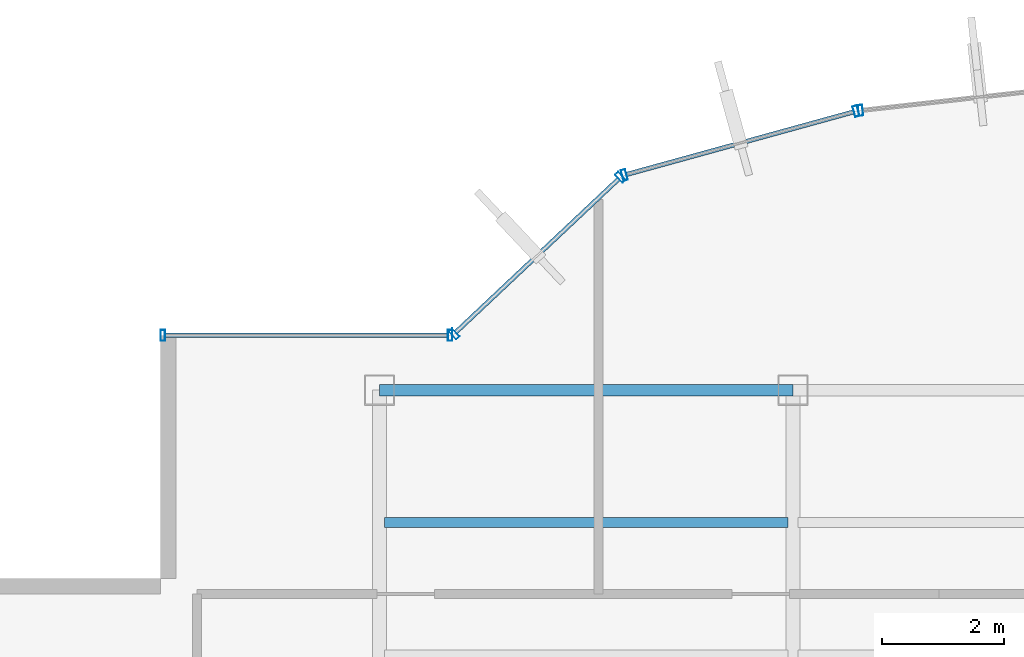
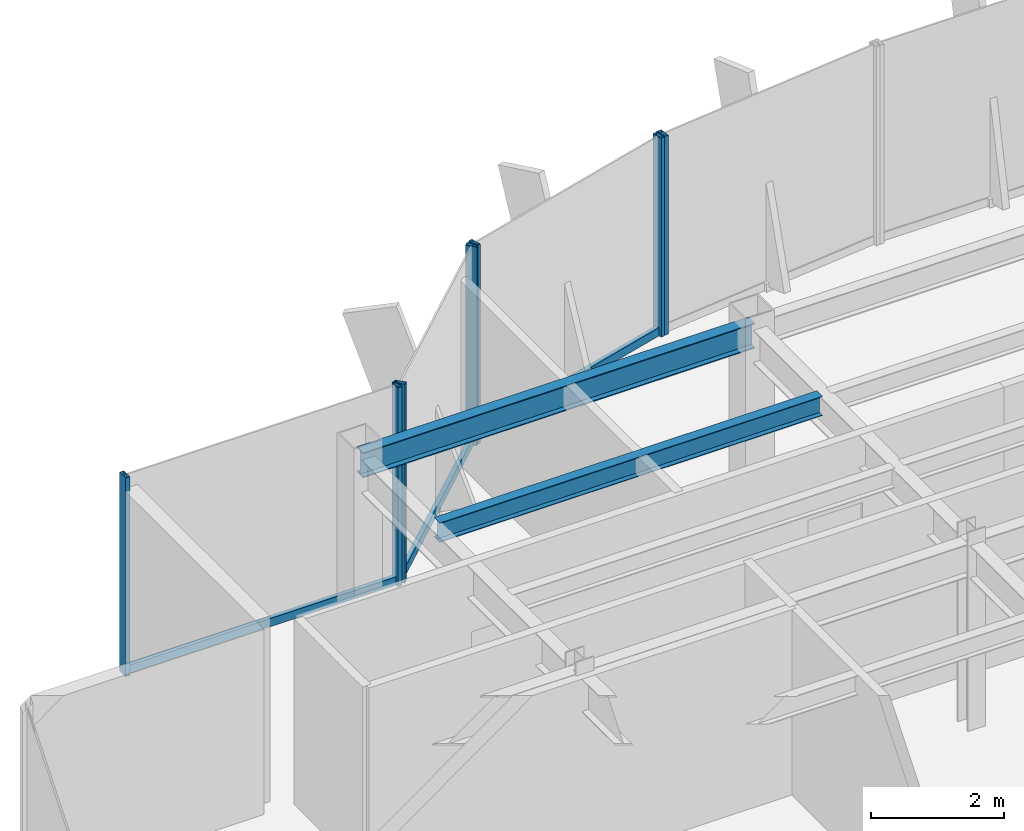
# One storey, part 12 of 22: 10 members, 2 beams, 4 elements without a shape of their own.
"""IFC4 building model written with IfcOpenShell, lengths in metres."""

from ifc_helpers import new_model, si_unit, derived_unit, direction, frame, origin, origin_2d, place, context, subcontext, project, spatial, hollow_rectangle, i_section, extrude, source, transform, mapped, material, material_profile, profile_set, type_object, element, aggregate, save


model = new_model("IFC4")

# Units and contexts
model_context = context("Model", 3, precision=1e-05, world=origin(), true_north=direction((0.0, 1.0)))
body_context = subcontext(model_context, "Body", "Model", "MODEL_VIEW")
ifc_project = project(units=[si_unit("LENGTHUNIT", "METRE"), si_unit("AREAUNIT", "SQUARE_METRE"), si_unit("VOLUMEUNIT", "CUBIC_METRE"), si_unit("PLANEANGLEUNIT", "RADIAN"), si_unit("MASSUNIT", "GRAM", prefix="KILO"), derived_unit("THERMALTRANSMITTANCEUNIT", [(si_unit("POWERUNIT", "WATT"), 1), (si_unit("LENGTHUNIT", "METRE"), -2), (si_unit("THERMODYNAMICTEMPERATUREUNIT", "KELVIN"), -1)])], contexts=[model_context])

# Site, building, storey
site_placement = place(None, origin())
site = spatial("IfcSite", under=ifc_project, at=site_placement, CompositionType="ELEMENT")
building_placement = place(site_placement, origin())
building = spatial("IfcBuilding", under=site, at=building_placement, Name="Skarnbrae Concourse Arena and Tower", CompositionType="ELEMENT")
storey_placement = place(building_placement, frame((0.0, 0.0, 192.25)))
storey = spatial("IfcBuildingStorey", under=building, at=storey_placement, Name="L49", CompositionType="ELEMENT", Elevation=192.25)

# Beams
ifc_material_1 = material(Name="Steel CSA G40.21 350W", Category="steel")
ifc_material_profile_1 = material_profile(ifc_material_1, i_section(OverallWidth=0.19091796875, OverallDepth=0.4599609375, WebThickness=0.010009765625, FlangeThickness=0.01611328125, at=origin_2d()), Name="W460X82")
ifc_profile_set_1 = profile_set([ifc_material_profile_1], Name="Steel CSA G40.21 350W")
beam_type_1 = type_object("IfcBeamType", Name="BM-SPAN-W460X82", PredefinedType="SPANDREL", material=ifc_profile_set_1)
shared_shape_1 = source(origin(), body_context, "Body", "SweptSolid", [
    extrude(i_section(OverallWidth=0.19091796875, OverallDepth=0.4599609375, WebThickness=0.010009765625, FlangeThickness=0.01611328125, at=origin_2d()), origin(), (0.0, 0.0, 1.0), 6.7998046875),
])
beam_1_placement = place(storey_placement, frame((7.60009765625, 34.39990234375, 3.169921875), z_axis=(1.0, 0.0, 0.0), x_axis=(0.0, 1.0, 0.0)))
element("IfcBeam", 1, at=beam_1_placement, inside=storey, type_object=beam_type_1, Name="L49 Perimeter spandrel Y34.4-1", PredefinedType="SPANDREL", context=body_context, shape_type="MappedRepresentation", body=[
    mapped(shared_shape_1, transform((0.0, 0.0, 0.0))),
])
ifc_material_profile_2 = material_profile(ifc_material_1, i_section(OverallWidth=0.1708984375, OverallDepth=0.35498046875, WebThickness=0.007080078125, FlangeThickness=0.01171875, at=origin_2d()), Name="W360X51")
ifc_profile_set_2 = profile_set([ifc_material_profile_2], Name="Steel CSA G40.21 350W")
beam_type_2 = type_object("IfcBeamType", Name="BM-JOIST-W360X51", PredefinedType="JOIST", material=ifc_profile_set_2)
shared_shape_2 = source(origin(), body_context, "Body", "SweptSolid", [
    extrude(i_section(OverallWidth=0.1708984375, OverallDepth=0.35498046875, WebThickness=0.007080078125, FlangeThickness=0.01171875, at=origin_2d()), origin(), (0.0, 0.0, 1.0), 6.64013671875),
])
beam_2_placement = place(storey_placement, frame((7.679931640625, 32.221923828125, 3.222412109375), z_axis=(1.0, 0.0, 0.0), x_axis=(0.0, 1.0, 0.0)))
element("IfcBeam", 2, at=beam_2_placement, inside=storey, type_object=beam_type_2, Name="L49 Secondary floor joist 3.2.1", PredefinedType="JOIST", context=body_context, shape_type="MappedRepresentation", body=[
    mapped(shared_shape_2, transform((0.0, 0.0, 0.0))),
])

# Curtain wall, member
ifc_material_2 = material(Name="Bronze anodised aluminium 6063-T6", Category="aluminium")
curtain_wall_type = type_object("IfcCurtainWallType", Name="CW-SYS-05-HIGHZONE", PredefinedType="USERDEFINED", material=ifc_material_2)
curtain_wall_1_placement = place(storey_placement, origin())
curtain_wall_1 = element("IfcCurtainWall", 3, at=curtain_wall_1_placement, inside=storey, type_object=curtain_wall_type, Name="L49 Unitised curtain wall CW-L49-E12", ObjectType="UNITISED CURTAIN WALL", PredefinedType="USERDEFINED")
ifc_material_profile_3 = material_profile(ifc_material_2, hollow_rectangle(XDim=0.074951171875, YDim=0.179931640625, WallThickness=0.00390625, at=origin_2d()), Name="ALU-MULL-75X180")
ifc_profile_set_3 = profile_set([ifc_material_profile_3], Name="Bronze anodised aluminium 6063-T6")
member_type_1 = type_object("IfcMemberType", Name="CWM-CW-05", PredefinedType="MULLION", material=ifc_profile_set_3)
shared_shape_3 = source(origin(), body_context, "Body", "SweptSolid", [
    extrude(hollow_rectangle(XDim=0.074951171875, YDim=0.179931640625, WallThickness=0.00390625, at=origin_2d()), origin(), (0.0, 0.0, 1.0), 3.64990234375),
])
member_1_placement = place(storey_placement, frame((15.511474609375, 39.001220703125, 0.0), z_axis=(0.0, 0.0, 1.0), x_axis=(-0.993768891873, -0.111460259941, 0.0)))
member_1 = element("IfcMember", 4, at=member_1_placement, type_object=member_type_1, Name="CW-L49-E12 Mullion 2", PredefinedType="MULLION", context=body_context, shape_type="MappedRepresentation", body=[
    mapped(shared_shape_3, transform((0.0, 0.0, 0.0))),
])
aggregate(curtain_wall_1, [member_1])

# Curtain wall, members
curtain_wall_2_placement = place(storey_placement, origin())
curtain_wall_2 = element("IfcCurtainWall", 5, at=curtain_wall_2_placement, inside=storey, type_object=curtain_wall_type, Name="L49 Unitised curtain wall CW-L49-E13", ObjectType="UNITISED CURTAIN WALL", PredefinedType="USERDEFINED")
member_2_placement = place(storey_placement, frame((15.43798828125, 38.987060546875, 0.0), z_axis=(0.0, 0.0, 1.0), x_axis=(-0.964057388766, -0.265694093207, 0.0)))
member_2 = element("IfcMember", 6, at=member_2_placement, type_object=member_type_1, Name="CW-L49-E13 Mullion 1", PredefinedType="MULLION", context=body_context, shape_type="MappedRepresentation", body=[
    mapped(shared_shape_3, transform((0.0, 0.0, 0.0))),
])
member_3_placement = place(storey_placement, frame((11.62646484375, 37.936767578125, 0.0), z_axis=(0.0, 0.0, 1.0), x_axis=(-0.964057388766, -0.265694093207, 0.0)))
member_3 = element("IfcMember", 7, at=member_3_placement, type_object=member_type_1, Name="CW-L49-E13 Mullion 2", PredefinedType="MULLION", context=body_context, shape_type="MappedRepresentation", body=[
    mapped(shared_shape_3, transform((0.0, 0.0, 0.0))),
])

curtain_wall_3_placement = place(storey_placement, origin())
curtain_wall_3 = element("IfcCurtainWall", 8, at=curtain_wall_3_placement, inside=storey, type_object=curtain_wall_type, Name="L49 Unitised curtain wall CW-L49-E14", ObjectType="UNITISED CURTAIN WALL", PredefinedType="USERDEFINED")
member_4_placement = place(storey_placement, frame((11.56298828125, 37.90087890625, 0.0), z_axis=(0.0, 0.0, 1.0), x_axis=(-0.728130555214, -0.685438468838, 0.0)))
member_4 = element("IfcMember", 9, at=member_4_placement, type_object=member_type_1, Name="CW-L49-E14 Mullion 1", PredefinedType="MULLION", context=body_context, shape_type="MappedRepresentation", body=[
    mapped(shared_shape_3, transform((0.0, 0.0, 0.0))),
])
member_5_placement = place(storey_placement, frame((8.827392578125, 35.32568359375, 0.0), z_axis=(0.0, 0.0, 1.0), x_axis=(-0.728130555214, -0.685438468838, 0.0)))
member_5 = element("IfcMember", 10, at=member_5_placement, type_object=member_type_1, Name="CW-L49-E14 Mullion 2", PredefinedType="MULLION", context=body_context, shape_type="MappedRepresentation", body=[
    mapped(shared_shape_3, transform((0.0, 0.0, 0.0))),
])

curtain_wall_4_placement = place(storey_placement, origin())
curtain_wall_4 = element("IfcCurtainWall", 11, at=curtain_wall_4_placement, inside=storey, type_object=curtain_wall_type, Name="L49 Unitised curtain wall CW-L49-E15", ObjectType="UNITISED CURTAIN WALL", PredefinedType="USERDEFINED")
member_6_placement = place(storey_placement, frame((8.762451171875, 35.300048828125, 0.0), z_axis=(0.0, 0.0, 1.0), x_axis=(-1.0, 0.0, 0.0)))
member_6 = element("IfcMember", 12, at=member_6_placement, type_object=member_type_1, Name="CW-L49-E15 Mullion 1", PredefinedType="MULLION", context=body_context, shape_type="MappedRepresentation", body=[
    mapped(shared_shape_3, transform((0.0, 0.0, 0.0))),
])
member_7_placement = place(storey_placement, frame((4.03759765625, 35.300048828125, 0.0), z_axis=(0.0, 0.0, 1.0), x_axis=(-1.0, 0.0, 0.0)))
member_7 = element("IfcMember", 13, at=member_7_placement, type_object=member_type_1, Name="CW-L49-E15 Mullion 2", PredefinedType="MULLION", context=body_context, shape_type="MappedRepresentation", body=[
    mapped(shared_shape_3, transform((0.0, 0.0, 0.0))),
])
ifc_material_profile_4 = material_profile(ifc_material_2, hollow_rectangle(XDim=0.074951171875, YDim=0.14990234375, WallThickness=0.00390625, at=origin_2d()), Name="ALU-TRAN-75X150")
ifc_profile_set_4 = profile_set([ifc_material_profile_4], Name="Bronze anodised aluminium 6063-T6")
member_type_2 = type_object("IfcMemberType", Name="CWT-CW-05", PredefinedType="USERDEFINED", material=ifc_profile_set_4)
shared_shape_4 = source(origin(), body_context, "Body", "SweptSolid", [
    extrude(hollow_rectangle(XDim=0.074951171875, YDim=0.14990234375, WallThickness=0.00390625, at=origin_2d()), origin(), (0.0, 0.0, 1.0), 4.650146484375),
])
member_8_placement = place(storey_placement, frame((8.72509765625, 35.300048828125, 0.074951171875), z_axis=(-1.0, 0.0, 0.0), x_axis=(0.0, -1.0, 0.0)))
member_8 = element("IfcMember", 14, at=member_8_placement, type_object=member_type_2, Name="CW-L49-E15 Transom 1", ObjectType="TRANSOM", PredefinedType="USERDEFINED", context=body_context, shape_type="MappedRepresentation", body=[
    mapped(shared_shape_4, transform((0.0, 0.0, 0.0))),
])
aggregate(curtain_wall_4, [member_6, member_7, member_8])

# Member
shared_shape_5 = source(origin(), body_context, "Body", "SweptSolid", [
    extrude(hollow_rectangle(XDim=0.074951171875, YDim=0.14990234375, WallThickness=0.00390625, at=origin_2d()), origin(), (0.0, 0.0, 1.0), 3.68212890625),
])
member_9_placement = place(storey_placement, frame((11.53564453125, 37.875244140625, 0.074951171875), z_axis=(-0.728133808476, -0.685435012933, 0.0), x_axis=(0.685435012933, -0.728133808476, 0.0)))
member_9 = element("IfcMember", 15, at=member_9_placement, type_object=member_type_2, Name="CW-L49-E14 Transom 1", ObjectType="TRANSOM", PredefinedType="USERDEFINED", context=body_context, shape_type="MappedRepresentation", body=[
    mapped(shared_shape_5, transform((0.0, 0.0, 0.0))),
])

aggregate(curtain_wall_3, [member_4, member_5, member_9])

shared_shape_6 = source(origin(), body_context, "Body", "SweptSolid", [
    extrude(hollow_rectangle(XDim=0.074951171875, YDim=0.14990234375, WallThickness=0.00390625, at=origin_2d()), origin(), (0.0, 0.0, 1.0), 3.878662109375),
])
member_10_placement = place(storey_placement, frame((15.40185546875, 38.977294921875, 0.074951171875), z_axis=(-0.964042677713, -0.265747465742, 0.0), x_axis=(0.265747465742, -0.964042677713, 0.0)))
member_10 = element("IfcMember", 16, at=member_10_placement, type_object=member_type_2, Name="CW-L49-E13 Transom 1", ObjectType="TRANSOM", PredefinedType="USERDEFINED", context=body_context, shape_type="MappedRepresentation", body=[
    mapped(shared_shape_6, transform((0.0, 0.0, 0.0))),
])

aggregate(curtain_wall_2, [member_2, member_3, member_10])

save(model, "model.ifc")
